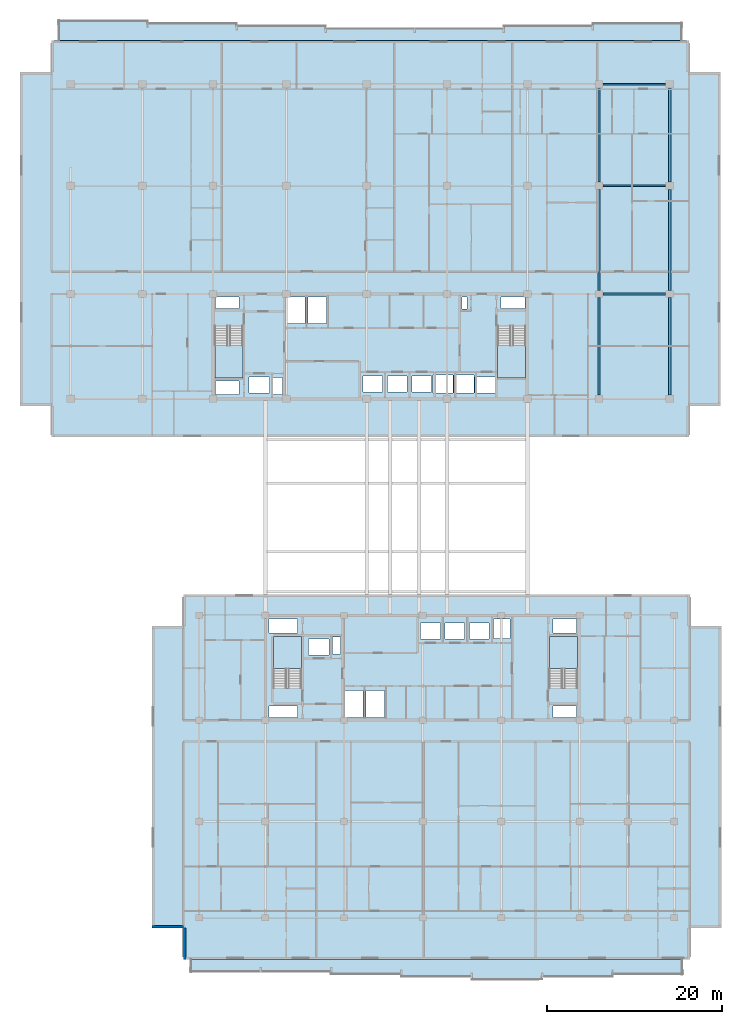
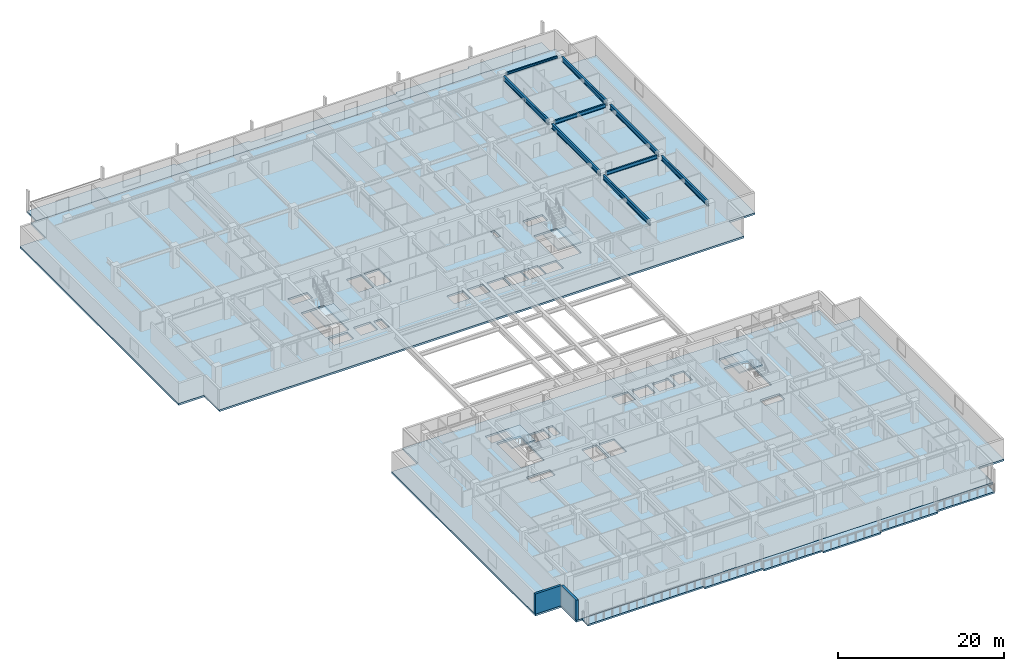
# One storey, part 3 of 21: 9 beams, 8 slabs, 2 walls, 4 elements without a shape of their own.
"""IFC4 building model written with IfcOpenShell, lengths in metres."""

from ifc_helpers import new_model, si_unit, direction, frame, frame_2d, origin, origin_2d, place, context, subcontext, project, spatial, polyline, rectangle, i_section, outline, extrude, material, layer, layer_set, material_profile, profile_set, type_object, element, aggregate, save


model = new_model("IFC4")

# Units and contexts
model_context = context("Model", 3, precision=1e-05, world=origin(), true_north=direction((0.0, 1.0)))
body_context = subcontext(model_context, "Body", "Model", "MODEL_VIEW")
ifc_project = project(units=[si_unit("LENGTHUNIT", "METRE"), si_unit("AREAUNIT", "SQUARE_METRE"), si_unit("VOLUMEUNIT", "CUBIC_METRE"), si_unit("PLANEANGLEUNIT", "RADIAN"), si_unit("MASSUNIT", "GRAM", prefix="KILO")], contexts=[model_context])

# Site, building, storey
site_placement = place(None, origin())
site = spatial("IfcSite", under=ifc_project, at=site_placement, CompositionType="ELEMENT")
building_placement = place(site_placement, origin())
building = spatial("IfcBuilding", under=site, at=building_placement, Name="Korimba Cascade Residences", CompositionType="ELEMENT")
storey_placement = place(building_placement, frame((0.0, 0.0, 136.050048828125)))
storey = spatial("IfcBuildingStorey", under=building, at=storey_placement, Name="L39", CompositionType="ELEMENT", Elevation=136.050048828125)

# Beams
ifc_material_1 = material(Name="Steel S355", Category="steel")
ifc_material_profile_1 = material_profile(ifc_material_1, i_section(OverallWidth=0.165771484375, OverallDepth=0.306640625, WebThickness=0.006591796875, FlangeThickness=0.01171875, FilletRadius=0.0087890625, at=origin_2d()), Name="Steel S355")
ifc_profile_set_1 = profile_set([ifc_material_profile_1], Name="Steel S355")
beam_type_1 = type_object("IfcBeamType", Name="BM-STL-UB305", PredefinedType="SPANDREL", material=ifc_profile_set_1)
beam_1_placement = place(storey_placement, frame((120.77490234375, 91.199951171875, 2.806640625), z_axis=(1.0, 0.0, 0.0), x_axis=(0.0, 1.0, 0.0)))
element("IfcBeam", 1, at=beam_1_placement, inside=storey, type_object=beam_type_1, Name="L39 T1 E-W Girder Y4 Bay 8", PredefinedType="SPANDREL", context=body_context, shape_type="SweptSolid", body=[
    extrude(i_section(OverallWidth=0.165771484375, OverallDepth=0.306640625, WebThickness=0.006591796875, FlangeThickness=0.01171875, FilletRadius=0.0087890625, at=origin_2d()), origin(), (0.0, 0.0, 1.0), 7.150146484375),
])
ifc_material_profile_2 = material_profile(ifc_material_1, i_section(OverallWidth=0.2099609375, OverallDepth=0.53662109375, WebThickness=0.0107421875, FlangeThickness=0.017333984375, FilletRadius=0.0126953125, at=origin_2d()), Name="Steel S355")
ifc_profile_set_2 = profile_set([ifc_material_profile_2], Name="Steel S355")
beam_type_2 = type_object("IfcBeamType", Name="BM-STL-UB533", PredefinedType="BEAM", material=ifc_profile_set_2)
for number, where, z_axis, x_axis, name in (
    (2, (120.77490234375, 67.199951171875, 2.691650390625), (1.0, 0.0, 0.0), (0.0, 1.0, 0.0), "L39 T1 E-W Girder Y2 Bay 8"),
    (3, (120.77490234375, 79.60009765625, 2.691650390625), (1.0, 0.0, 0.0), (0.0, 1.0, 0.0), "L39 T1 E-W Girder Y3 Bay 8"),
):
    element("IfcBeam", number, at=place(storey_placement, frame(where, z_axis=z_axis, x_axis=x_axis)), inside=storey, type_object=beam_type_2, Name=name, PredefinedType="BEAM", context=body_context, shape_type="SweptSolid", body=[
        extrude(i_section(OverallWidth=0.2099609375, OverallDepth=0.53662109375, WebThickness=0.0107421875, FlangeThickness=0.017333984375, FilletRadius=0.0126953125, at=origin_2d()), origin(), (0.0, 0.0, 1.0), 7.150146484375),
    ])
ifc_material_profile_3 = material_profile(ifc_material_1, i_section(OverallWidth=0.255859375, OverallDepth=0.69287109375, WebThickness=0.014404296875, FlangeThickness=0.023681640625, FilletRadius=0.01513671875, at=origin_2d()), Name="Steel S355")
ifc_profile_set_3 = profile_set([ifc_material_profile_3], Name="Steel S355")
beam_type_3 = type_object("IfcBeamType", Name="BM-STL-UB686", PredefinedType="BEAM", material=ifc_profile_set_3)
beam_2_placement = place(storey_placement, frame((120.300048828125, 55.625, 2.613525390625), z_axis=(0.0, 1.0, 0.0), x_axis=(-1.0, 0.0, 0.0)))
element("IfcBeam", 4, at=beam_2_placement, inside=storey, type_object=beam_type_3, Name="L39 T1 N-S Girder X8 Seg 1", PredefinedType="BEAM", context=body_context, shape_type="SweptSolid", body=[
    extrude(i_section(OverallWidth=0.255859375, OverallDepth=0.69287109375, WebThickness=0.014404296875, FlangeThickness=0.023681640625, FilletRadius=0.01513671875, at=origin_2d()), origin(), (0.0, 0.0, 1.0), 11.14990234375),
])
beam_3_placement = place(storey_placement, frame((120.300048828125, 67.625, 2.613525390625), z_axis=(0.0, 1.0, 0.0), x_axis=(-1.0, 0.0, 0.0)))
element("IfcBeam", 5, at=beam_3_placement, inside=storey, type_object=beam_type_3, Name="L39 T1 N-S Girder X8 Seg 2", PredefinedType="BEAM", context=body_context, shape_type="SweptSolid", body=[
    extrude(i_section(OverallWidth=0.255859375, OverallDepth=0.69287109375, WebThickness=0.014404296875, FlangeThickness=0.023681640625, FilletRadius=0.01513671875, at=origin_2d()), origin(), (0.0, 0.0, 1.0), 11.550048828125),
])
beam_4_placement = place(storey_placement, frame((120.300048828125, 80.02490234375, 2.613525390625), z_axis=(0.0, 1.0, 0.0), x_axis=(-1.0, 0.0, 0.0)))
element("IfcBeam", 6, at=beam_4_placement, inside=storey, type_object=beam_type_3, Name="L39 T1 N-S Girder X8 Seg 3", PredefinedType="BEAM", context=body_context, shape_type="SweptSolid", body=[
    extrude(i_section(OverallWidth=0.255859375, OverallDepth=0.69287109375, WebThickness=0.014404296875, FlangeThickness=0.023681640625, FilletRadius=0.01513671875, at=origin_2d()), origin(), (0.0, 0.0, 1.0), 10.75),
])
beam_5_placement = place(storey_placement, frame((128.39990234375, 55.625, 2.613525390625), z_axis=(0.0, 1.0, 0.0), x_axis=(-1.0, 0.0, 0.0)))
element("IfcBeam", 7, at=beam_5_placement, inside=storey, type_object=beam_type_3, Name="L39 T1 N-S Girder X9 Seg 1", PredefinedType="BEAM", context=body_context, shape_type="SweptSolid", body=[
    extrude(i_section(OverallWidth=0.255859375, OverallDepth=0.69287109375, WebThickness=0.014404296875, FlangeThickness=0.023681640625, FilletRadius=0.01513671875, at=origin_2d()), origin(), (0.0, 0.0, 1.0), 11.14990234375),
])
beam_6_placement = place(storey_placement, frame((128.39990234375, 67.625, 2.613525390625), z_axis=(0.0, 1.0, 0.0), x_axis=(-1.0, 0.0, 0.0)))
element("IfcBeam", 8, at=beam_6_placement, inside=storey, type_object=beam_type_3, Name="L39 T1 N-S Girder X9 Seg 2", PredefinedType="BEAM", context=body_context, shape_type="SweptSolid", body=[
    extrude(i_section(OverallWidth=0.255859375, OverallDepth=0.69287109375, WebThickness=0.014404296875, FlangeThickness=0.023681640625, FilletRadius=0.01513671875, at=origin_2d()), origin(), (0.0, 0.0, 1.0), 11.550048828125),
])
beam_7_placement = place(storey_placement, frame((128.39990234375, 80.02490234375, 2.613525390625), z_axis=(0.0, 1.0, 0.0), x_axis=(-1.0, 0.0, 0.0)))
element("IfcBeam", 9, at=beam_7_placement, inside=storey, type_object=beam_type_3, Name="L39 T1 N-S Girder X9 Seg 3", PredefinedType="BEAM", context=body_context, shape_type="SweptSolid", body=[
    extrude(i_section(OverallWidth=0.255859375, OverallDepth=0.69287109375, WebThickness=0.014404296875, FlangeThickness=0.023681640625, FilletRadius=0.01513671875, at=origin_2d()), origin(), (0.0, 0.0, 1.0), 10.75),
])

# Stair, slab
ifc_material_2 = material(Name="Concrete C50/60", Category="concrete")
stair_type_1 = type_object("IfcStairType", Name="STR-W1-18R-1806", PredefinedType="HALF_TURN_STAIR", material=ifc_material_2)
stair_1_placement = place(storey_placement, origin())
stair_1 = element("IfcStair", 10, at=stair_1_placement, inside=storey, type_object=stair_type_1, Name="L39 Tower 1 West Fire Stair ST-W1", PredefinedType="HALF_TURN_STAIR")
ifc_layer_1 = layer(ifc_material_2, 0.199951171875)
ifc_layer_set_1 = layer_set([ifc_layer_1], Name="Concrete C50/60")
slab_type_1 = type_object("IfcSlabType", Name="SLB-LND-220", PredefinedType="LANDING", material=ifc_layer_set_1)
slab_1_placement = place(storey_placement, frame((0.0, 0.0, 1.425048828125)))
slab_1 = element("IfcSlab", 11, at=slab_1_placement, type_object=slab_type_1, Name="ST-W1 landing 1", PredefinedType="LANDING", context=body_context, shape_type="SweptSolid", body=[
    extrude(outline(polyline([(76.300048828125, 61.31005859375), (76.300048828125, 57.60009765625), (79.5400390625, 57.60009765625), (79.5400390625, 61.31005859375), (76.300048828125, 61.31005859375)])), origin(), (0.0, 0.0, 1.0), 0.199951171875),
])
aggregate(stair_1, [slab_1])

stair_type_2 = type_object("IfcStairType", Name="STR-W2-18R-1806", PredefinedType="HALF_TURN_STAIR", material=ifc_material_2)
stair_2_placement = place(storey_placement, origin())
stair_2 = element("IfcStair", 12, at=stair_2_placement, inside=storey, type_object=stair_type_2, Name="L39 Tower 1 East Fire Stair ST-W2", PredefinedType="HALF_TURN_STAIR")
slab_2_placement = place(storey_placement, frame((0.0, 0.0, 1.425048828125)))
slab_2 = element("IfcSlab", 13, at=slab_2_placement, type_object=slab_type_1, Name="ST-W2 landing 1", PredefinedType="LANDING", context=body_context, shape_type="SweptSolid", body=[
    extrude(outline(polyline([(108.659912109375, 61.31005859375), (108.659912109375, 57.60009765625), (111.89990234375, 57.60009765625), (111.89990234375, 61.31005859375), (108.659912109375, 61.31005859375)])), origin(), (0.0, 0.0, 1.0), 0.199951171875),
])
aggregate(stair_2, [slab_2])

stair_type_3 = type_object("IfcStairType", Name="STR-E1-18R-1806", PredefinedType="HALF_TURN_STAIR", material=ifc_material_2)
stair_3_placement = place(storey_placement, origin())
stair_3 = element("IfcStair", 14, at=stair_3_placement, inside=storey, type_object=stair_type_3, Name="L39 Tower 2 West Fire Stair ST-E1", PredefinedType="HALF_TURN_STAIR")
slab_3_placement = place(storey_placement, frame((0.0, 0.0, 1.425048828125)))
slab_3 = element("IfcSlab", 15, at=slab_3_placement, type_object=slab_type_1, Name="ST-E1 landing 1", PredefinedType="LANDING", context=body_context, shape_type="SweptSolid", body=[
    extrude(outline(polyline([(86.239990234375, 24.2900390625), (86.239990234375, 28.0), (83.0, 28.0), (83.0, 24.2900390625), (86.239990234375, 24.2900390625)])), origin(), (0.0, 0.0, 1.0), 0.199951171875),
])
aggregate(stair_3, [slab_3])

stair_type_4 = type_object("IfcStairType", Name="STR-E2-18R-1806", PredefinedType="HALF_TURN_STAIR", material=ifc_material_2)
stair_4_placement = place(storey_placement, origin())
stair_4 = element("IfcStair", 16, at=stair_4_placement, inside=storey, type_object=stair_type_4, Name="L39 Tower 2 East Fire Stair ST-E2", PredefinedType="HALF_TURN_STAIR")
slab_4_placement = place(storey_placement, frame((0.0, 0.0, 1.425048828125)))
slab_4 = element("IfcSlab", 17, at=slab_4_placement, type_object=slab_type_1, Name="ST-E2 landing 1", PredefinedType="LANDING", context=body_context, shape_type="SweptSolid", body=[
    extrude(outline(polyline([(117.840087890625, 24.2900390625), (117.840087890625, 28.0), (114.60009765625, 28.0), (114.60009765625, 24.2900390625), (117.840087890625, 24.2900390625)])), origin(), (0.0, 0.0, 1.0), 0.199951171875),
])
aggregate(stair_4, [slab_4])

# Slabs
ifc_material_3 = material(Name="Precast concrete C40/50", Category="concrete")
ifc_layer_2 = layer(ifc_material_3, 0.239990234375)
ifc_layer_set_2 = layer_set([ifc_layer_2], Name="Precast concrete C40/50")
slab_type_2 = type_object("IfcSlabType", Name="SLB-LOG-240", PredefinedType="FLOOR", material=ifc_layer_set_2)
slab_5_placement = place(storey_placement, frame((0.0, 0.0, -0.239990234375)))
element("IfcSlab", 18, at=slab_5_placement, inside=storey, type_object=slab_type_2, Name="L39 Tower 1 North Loggia Slab", PredefinedType="FLOOR", context=body_context, shape_type="SweptSolid", body=[
    extrude(outline(polyline([(58.39990234375, 96.199951171875), (129.800048828125, 96.199951171875), (129.800048828125, 98.25), (119.60009765625, 98.25), (119.60009765625, 97.949951171875), (109.39990234375, 97.949951171875), (109.39990234375, 97.64990234375), (89.0, 97.64990234375), (89.0, 97.949951171875), (78.800048828125, 97.949951171875), (78.800048828125, 98.25), (68.60009765625, 98.25), (68.60009765625, 98.550048828125), (58.39990234375, 98.550048828125), (58.39990234375, 96.199951171875)])), origin(), (0.0, 0.0, 1.0), 0.239990234375),
])
slab_6_placement = place(storey_placement, frame((0.0, 0.0, -0.239990234375)))
element("IfcSlab", 19, at=slab_6_placement, inside=storey, type_object=slab_type_2, Name="L39 Tower 2 South Loggia Slab", PredefinedType="FLOOR", context=body_context, shape_type="SweptSolid", body=[
    extrude(outline(polyline([(73.5, -10.449951171875), (89.6142578125, -10.449951171875), (89.6142578125, -10.75), (97.67138671875, -10.75), (97.67138671875, -11.050048828125), (105.728515625, -11.050048828125), (105.728515625, -11.35009765625), (113.78564453125, -11.35009765625), (113.78564453125, -11.050048828125), (121.843017578125, -11.050048828125), (121.843017578125, -10.75), (129.89990234375, -10.75), (129.89990234375, -9.0), (73.5, -9.0), (73.5, -10.449951171875)])), origin(), (0.0, 0.0, 1.0), 0.239990234375),
])
ifc_layer_3 = layer(ifc_material_2, 0.280029296875)
ifc_layer_set_3 = layer_set([ifc_layer_3], Name="Concrete C50/60")
slab_type_3 = type_object("IfcSlabType", Name="SLB-TYP-280", PredefinedType="FLOOR", material=ifc_layer_set_3)
slab_7_placement = place(storey_placement, frame((0.0, 0.0, -0.280029296875)))
element("IfcSlab", 20, at=slab_7_placement, inside=storey, type_object=slab_type_3, Name="L39 Tower 1 Floor Slab", PredefinedType="FLOOR", context=body_context, shape_type="SweptSolid", body=[
    extrude(outline(polyline([(57.60009765625, 50.800048828125), (130.60009765625, 50.800048828125), (130.60009765625, 54.39990234375), (134.199951171875, 54.39990234375), (134.199951171875, 92.60009765625), (130.60009765625, 92.60009765625), (130.60009765625, 96.199951171875), (57.60009765625, 96.199951171875), (57.60009765625, 92.60009765625), (54.0, 92.60009765625), (54.0, 54.39990234375), (57.60009765625, 54.39990234375), (57.60009765625, 50.800048828125)]), holes=[polyline([(76.300048828125, 63.514892578125), (76.300048828125, 57.60009765625), (79.5400390625, 57.60009765625), (79.5400390625, 63.514892578125), (76.300048828125, 63.514892578125)]), polyline([(108.659912109375, 63.514892578125), (108.659912109375, 57.60009765625), (111.89990234375, 57.60009765625), (111.89990234375, 63.514892578125), (108.659912109375, 63.514892578125)]), polyline([(80.22998046875, 55.8798828125), (82.570068359375, 55.8798828125), (82.570068359375, 57.719970703125), (80.22998046875, 57.719970703125), (80.22998046875, 55.8798828125)]), polyline([(106.080078125, 55.8798828125), (108.419921875, 55.8798828125), (108.419921875, 57.719970703125), (106.080078125, 57.719970703125), (106.080078125, 55.8798828125)]), polyline([(93.280029296875, 55.97998046875), (95.52001953125, 55.97998046875), (95.52001953125, 57.820068359375), (93.280029296875, 57.820068359375), (93.280029296875, 55.97998046875)]), polyline([(96.080078125, 55.97998046875), (98.320068359375, 55.97998046875), (98.320068359375, 57.820068359375), (96.080078125, 57.820068359375), (96.080078125, 55.97998046875)]), polyline([(98.8798828125, 55.97998046875), (101.1201171875, 55.97998046875), (101.1201171875, 57.820068359375), (98.8798828125, 57.820068359375), (98.8798828125, 55.97998046875)]), polyline([(101.304931640625, 55.8798828125), (103.594970703125, 55.8798828125), (103.594970703125, 57.919921875), (101.304931640625, 57.919921875), (101.304931640625, 55.8798828125)]), polyline([(103.705078125, 55.8798828125), (105.9951171875, 55.8798828125), (105.9951171875, 57.919921875), (103.705078125, 57.919921875), (103.705078125, 55.8798828125)]), polyline([(82.97998046875, 55.679931640625), (84.080078125, 55.679931640625), (84.080078125, 57.6201171875), (82.97998046875, 57.6201171875), (82.97998046875, 55.679931640625)]), polyline([(76.39990234375, 65.56005859375), (79.10009765625, 65.56005859375), (79.10009765625, 66.8798828125), (76.39990234375, 66.8798828125), (76.39990234375, 65.56005859375)]), polyline([(76.39990234375, 55.679931640625), (79.10009765625, 55.679931640625), (79.10009765625, 57.239990234375), (76.39990234375, 57.239990234375), (76.39990234375, 55.679931640625)]), polyline([(84.530029296875, 63.820068359375), (86.6201171875, 63.820068359375), (86.6201171875, 66.8798828125), (84.530029296875, 66.8798828125), (84.530029296875, 63.820068359375)]), polyline([(86.97998046875, 63.820068359375), (89.070068359375, 63.820068359375), (89.070068359375, 66.8798828125), (86.97998046875, 66.8798828125), (86.97998046875, 63.820068359375)]), polyline([(104.6201171875, 65.4599609375), (105.179931640625, 65.4599609375), (105.179931640625, 66.8798828125), (104.6201171875, 66.8798828125), (104.6201171875, 65.4599609375)]), polyline([(109.080078125, 65.56005859375), (111.800048828125, 65.56005859375), (111.800048828125, 66.8798828125), (109.080078125, 66.8798828125), (109.080078125, 65.56005859375)])]), origin(), (0.0, 0.0, 1.0), 0.280029296875),
])
slab_8_placement = place(storey_placement, frame((0.0, 0.0, -0.280029296875)))
element("IfcSlab", 21, at=slab_8_placement, inside=storey, type_object=slab_type_3, Name="L39 Tower 2 Floor Slab", PredefinedType="FLOOR", context=body_context, shape_type="SweptSolid", body=[
    extrude(outline(polyline([(72.699951171875, -9.0), (130.699951171875, -9.0), (130.699951171875, -5.39990234375), (134.300048828125, -5.39990234375), (134.300048828125, 29.199951171875), (130.699951171875, 29.199951171875), (130.699951171875, 32.800048828125), (72.699951171875, 32.800048828125), (72.699951171875, 29.199951171875), (69.10009765625, 29.199951171875), (69.10009765625, -5.39990234375), (72.699951171875, -5.39990234375), (72.699951171875, -9.0)]), holes=[polyline([(86.239990234375, 22.0849609375), (86.239990234375, 28.0), (83.0, 28.0), (83.0, 22.0849609375), (86.239990234375, 22.0849609375)]), polyline([(117.840087890625, 22.0849609375), (117.840087890625, 28.0), (114.60009765625, 28.0), (114.60009765625, 22.0849609375), (117.840087890625, 22.0849609375)]), polyline([(87.030029296875, 25.8798828125), (89.3701171875, 25.8798828125), (89.3701171875, 27.719970703125), (87.030029296875, 27.719970703125), (87.030029296875, 25.8798828125)]), polyline([(99.8798828125, 27.679931640625), (102.1201171875, 27.679931640625), (102.1201171875, 29.52001953125), (99.8798828125, 29.52001953125), (99.8798828125, 27.679931640625)]), polyline([(102.679931640625, 27.679931640625), (104.919921875, 27.679931640625), (104.919921875, 29.52001953125), (102.679931640625, 29.52001953125), (102.679931640625, 27.679931640625)]), polyline([(105.47998046875, 27.679931640625), (107.719970703125, 27.679931640625), (107.719970703125, 29.52001953125), (105.47998046875, 29.52001953125), (105.47998046875, 27.679931640625)]), polyline([(89.780029296875, 25.97998046875), (90.719970703125, 25.97998046875), (90.719970703125, 27.919921875), (89.780029296875, 27.919921875), (89.780029296875, 25.97998046875)]), polyline([(82.530029296875, 18.72998046875), (85.800048828125, 18.72998046875), (85.800048828125, 20.0400390625), (82.530029296875, 20.0400390625), (82.530029296875, 18.72998046875)]), polyline([(82.530029296875, 28.360107421875), (85.800048828125, 28.360107421875), (85.800048828125, 29.969970703125), (82.530029296875, 29.969970703125), (82.530029296875, 28.360107421875)]), polyline([(108.22998046875, 27.780029296875), (110.1201171875, 27.780029296875), (110.1201171875, 29.969970703125), (108.22998046875, 29.969970703125), (108.22998046875, 27.780029296875)]), polyline([(91.22998046875, 18.72998046875), (93.27001953125, 18.72998046875), (93.27001953125, 21.780029296875), (91.22998046875, 21.780029296875), (91.22998046875, 18.72998046875)]), polyline([(93.6298828125, 18.72998046875), (95.719970703125, 18.72998046875), (95.719970703125, 21.780029296875), (93.6298828125, 21.780029296875), (93.6298828125, 18.72998046875)]), polyline([(115.02001953125, 18.72998046875), (117.739990234375, 18.72998046875), (117.739990234375, 20.0400390625), (115.02001953125, 20.0400390625), (115.02001953125, 18.72998046875)]), polyline([(115.02001953125, 28.360107421875), (117.739990234375, 28.360107421875), (117.739990234375, 29.969970703125), (115.02001953125, 29.969970703125), (115.02001953125, 28.360107421875)])]), origin(), (0.0, 0.0, 1.0), 0.280029296875),
])

# Walls
ifc_layer_4 = layer(ifc_material_3, 0.300048828125)
ifc_layer_set_4 = layer_set([ifc_layer_4], Name="Precast concrete C40/50")
wall_type = type_object("IfcWallType", Name="EW-STONE-300", PredefinedType="STANDARD", material=ifc_layer_set_4)
wall_1_placement = place(storey_placement, frame((69.10009765625, -5.25, 0.0), z_axis=(0.0, 0.0, 1.0), x_axis=(1.0, 0.0, 0.0)))
element("IfcWall", 22, at=wall_1_placement, inside=storey, type_object=wall_type, Name="L39 T2 Perimeter Stone Wall E10", PredefinedType="STANDARD", context=body_context, shape_type="SweptSolid", body=[
    extrude(rectangle(XDim=3.599853515625, YDim=0.300048828125, at=frame_2d((1.7998046875, 0.0))), origin(), (0.0, 0.0, 1.0), 2.9599609375),
])
wall_2_placement = place(storey_placement, frame((72.85009765625, -5.39990234375, 0.0), z_axis=(0.0, 0.0, 1.0), x_axis=(0.0, -1.0, 0.0)))
element("IfcWall", 23, at=wall_2_placement, inside=storey, type_object=wall_type, Name="L39 T2 Perimeter Stone Wall E11", PredefinedType="STANDARD", context=body_context, shape_type="SweptSolid", body=[
    extrude(rectangle(XDim=3.60009765625, YDim=0.300048828125, at=frame_2d((1.800048828125, 0.0))), origin(), (0.0, 0.0, 1.0), 2.9599609375),
])

save(model, "model.ifc")
